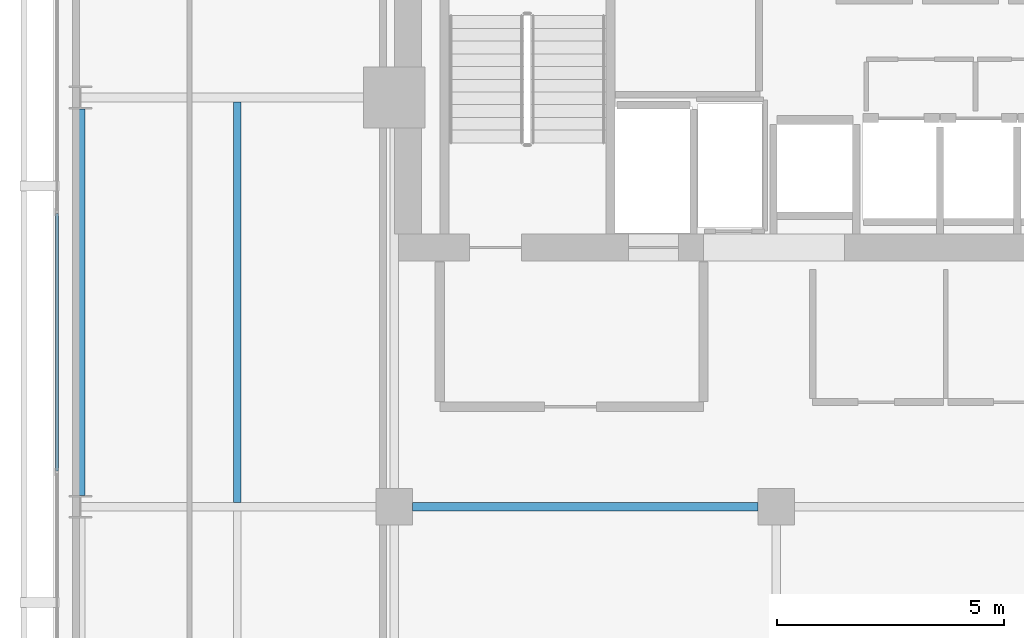
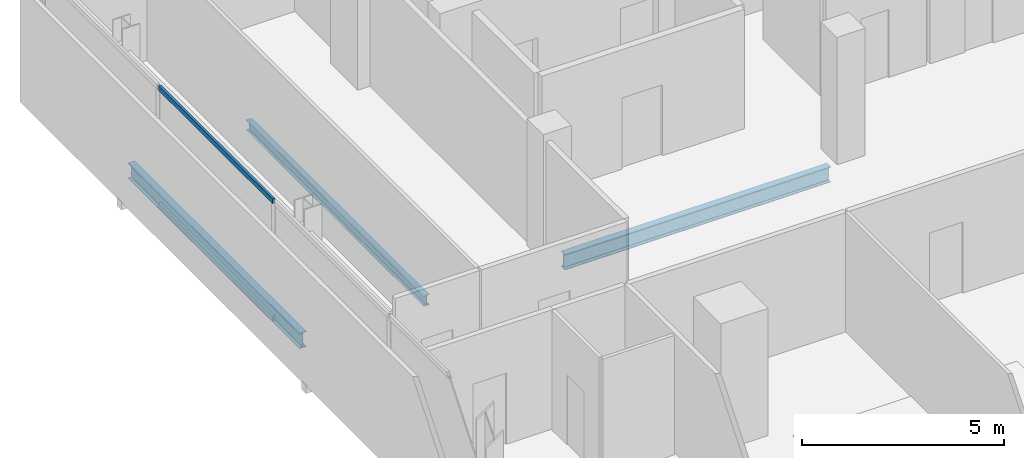
# One storey, part 8 of 23: 3 beams, 2 members, 1 element without a shape of its own.
"""IFC4 building model written with IfcOpenShell, lengths in metres."""

import ifcopenshell
import ifcopenshell.guid

model = None  # the IFC model being written
_history = None  # IfcOwnerHistory: only IFC2X3 demands one
_inside = {}  # id of a spatial element -> (the spatial element, [elements in it])
_under = {}  # id of a project, library or spatial element -> (it, [spatial elements below it])
_declared = {}  # id of a project -> (the project, [libraries it declares])
_typed = {}  # id of a type object -> (the type object, [elements of that type])
_made_of = {}  # id of a material, layer set ... -> (it, [elements and type objects made of it])


def new_model(schema):
    """Start an empty IFC model of exactly this schema.

    Asked for "IFC4X3", IfcOpenShell would pick the latest addendum, in which some entities
    have other attributes; the version numbers below select the first issue.
    IFC2X3 requires an IfcOwnerHistory on every rooted entity: one is made here for all.
    """
    global model, _history
    if schema == "IFC4X3":
        model = ifcopenshell.file(schema_version=(4, 3, 0, 0))
    else:
        model = ifcopenshell.file(schema=schema)
    _inside.clear()
    _under.clear()
    _declared.clear()
    _typed.clear()
    _made_of.clear()
    _history = None
    if model.schema == "IFC2X3":
        org = make("IfcOrganization", Name="unknown")
        user = make(
            "IfcPersonAndOrganization",
            ThePerson=make("IfcPerson", FamilyName="unknown"),
            TheOrganization=org,
        )
        app = make(
            "IfcApplication",
            ApplicationDeveloper=org,
            Version="unknown",
            ApplicationFullName="unknown",
            ApplicationIdentifier="unknown",
        )
        _history = make(
            "IfcOwnerHistory",
            OwningUser=user,
            OwningApplication=app,
            ChangeAction="ADDED",
            CreationDate=0,
        )
    return model


def make(cls, **values):
    """One entity of the class cls with the attributes given. An attribute that is None is left unset."""
    return model.create_entity(
        cls, **{name: value for name, value in values.items() if value is not None}
    )


def rooted(cls, **values):
    """An entity with a GlobalId (a new one), such as an element, a storey or a relation."""
    return make(cls, GlobalId=ifcopenshell.guid.new(), OwnerHistory=_history, **values)


def si_unit(unit_type, name, prefix=None):
    """IfcSIUnit, for example si_unit("LENGTHUNIT", "METRE", prefix="MILLI")."""
    return make("IfcSIUnit", UnitType=unit_type, Prefix=prefix, Name=name)


def assignment(units):
    """IfcUnitAssignment: the units of a project."""
    return None if units is None else make("IfcUnitAssignment", Units=units)


def point(xyz):
    """IfcCartesianPoint."""
    return None if xyz is None else make("IfcCartesianPoint", Coordinates=xyz)


def direction(xyz):
    """IfcDirection."""
    return None if xyz is None else make("IfcDirection", DirectionRatios=xyz)


def frame(location, z_axis=None, x_axis=None):
    """IfcAxis2Placement3D, a coordinate frame: its origin and axes. An axis left out is left unset."""
    return make(
        "IfcAxis2Placement3D",
        Location=point(location),
        Axis=direction(z_axis),
        RefDirection=direction(x_axis),
    )


def frame_2d(location, x_axis=None):
    """IfcAxis2Placement2D, a coordinate frame in the plane: its origin and x axis."""
    return make(
        "IfcAxis2Placement2D", Location=point(location), RefDirection=direction(x_axis)
    )


def origin():
    """The frame at (0, 0, 0) with its axes left unset."""
    return frame((0.0, 0.0, 0.0))


def origin_2d():
    """The frame at (0, 0) in the plane with its x axis left unset."""
    return frame_2d((0.0, 0.0))


def place(relative_to, where):
    """IfcLocalPlacement: puts the frame where relative to a parent placement (None: the world)."""
    return make(
        "IfcLocalPlacement", PlacementRelTo=relative_to, RelativePlacement=where
    )


def context(
    kind, dimensions, precision=None, world=None, true_north=None, identifier=None
):
    """IfcGeometricRepresentationContext, for example the 3D "Model" context."""
    return make(
        "IfcGeometricRepresentationContext",
        ContextIdentifier=identifier,
        ContextType=kind,
        CoordinateSpaceDimension=dimensions,
        Precision=precision,
        WorldCoordinateSystem=world,
        TrueNorth=true_north,
    )


def subcontext(parent, identifier, kind, view, scale=None):
    """IfcGeometricRepresentationSubContext, for example "Body" below "Model"."""
    return make(
        "IfcGeometricRepresentationSubContext",
        ContextIdentifier=identifier,
        ContextType=kind,
        ParentContext=parent,
        TargetScale=scale,
        TargetView=view,
    )


def project(units=None, contexts=None):
    """IfcProject with its units and contexts."""
    return rooted(
        "IfcProject",
        Name="project",
        RepresentationContexts=contexts,
        UnitsInContext=assignment(units),
    )


def spatial(cls, under=None, at=None, **own):
    """A site, building, storey or space (cls), placed at a placement, below another one or the project."""
    s = rooted(cls, ObjectPlacement=at, **own)
    if under is not None:
        _under.setdefault(under.id(), (under, []))[1].append(s)
    return s


def profile(cls, at=None, kind="AREA", **sizes):
    """A parametric profile (cls). Its sizes go by their IFC names, for example OverallWidth=200.0."""
    return make(cls, ProfileType=kind, Position=at, **sizes)


def hollow_rectangle(**sizes):
    """IfcRectangleHollowProfileDef."""
    return profile("IfcRectangleHollowProfileDef", **sizes)


def i_section(**sizes):
    """IfcIShapeProfileDef."""
    return profile("IfcIShapeProfileDef", **sizes)


def extrude(swept, where, along, depth):
    """IfcExtrudedAreaSolid: the profile swept, set in the frame where, extruded along a direction by depth."""
    return make(
        "IfcExtrudedAreaSolid",
        SweptArea=swept,
        Position=where,
        ExtrudedDirection=direction(along),
        Depth=depth,
    )


def shape(context_of_items, identifier, shape_type, items):
    """IfcShapeRepresentation: the items that make up one representation, for example the "Body"."""
    return make(
        "IfcShapeRepresentation",
        ContextOfItems=context_of_items,
        RepresentationIdentifier=identifier,
        RepresentationType=shape_type,
        Items=items,
    )


def material(Name=None, Category=None):
    """IfcMaterial."""
    return make("IfcMaterial", Name=Name, Category=Category)


def layer(
    of_material, thickness, ventilated=None, Name=None, Category=None, Priority=None
):
    """IfcMaterialLayer: one layer of a wall or slab, of a material (None: an air gap)."""
    return make(
        "IfcMaterialLayer",
        Material=of_material,
        LayerThickness=thickness,
        IsVentilated=ventilated,
        Name=Name,
        Category=Category,
        Priority=Priority,
    )


def layer_set(layers, Name=None):
    """IfcMaterialLayerSet."""
    return make("IfcMaterialLayerSet", MaterialLayers=layers, LayerSetName=Name)


def material_profile(
    of_material, cross_section, Name=None, Category=None, Priority=None
):
    """IfcMaterialProfile: a cross section and its material."""
    return make(
        "IfcMaterialProfile",
        Name=Name,
        Material=of_material,
        Profile=cross_section,
        Priority=Priority,
        Category=Category,
    )


def profile_set(profiles, Name=None, composite=None):
    """IfcMaterialProfileSet."""
    return make(
        "IfcMaterialProfileSet",
        Name=Name,
        MaterialProfiles=profiles,
        CompositeProfile=composite,
    )


def made_of(thing, what):
    """Note that an element or type object is made of a material, layer set ...; save() writes the relation."""
    if what is not None:
        _made_of.setdefault(what.id(), (what, []))[1].append(thing)
    return thing


def type_object(cls, material=None, **own):
    """A type object (cls), such as IfcWallType, which elements share."""
    return made_of(rooted(cls, **own), material)


def element(
    cls,
    number,
    at=None,
    inside=None,
    cuts=None,
    type_object=None,
    material=None,
    context=None,
    identifier="Body",
    shape_type=None,
    held_by="IfcProductDefinitionShape",
    body=None,
    shapes=None,
    **own,
):
    """One element of the class cls, such as IfcWall. Its Tag is "e" and its number.

    at: its placement. inside: the storey or other place that contains it. cuts: it is an
    opening in that element (IfcRelVoidsElement). A single representation is given by context,
    identifier, shape_type and body (its items); several are given by shapes. held_by: the class
    of the entity that holds the representations. save() writes the other relations.
    """
    e = rooted(cls, Tag="e%d" % number, ObjectPlacement=at, **own)
    if body is not None:
        shapes = [shape(context, identifier, shape_type, body)]
    if shapes is not None:
        e.Representation = make(held_by, Representations=shapes)
    if inside is not None:
        _inside.setdefault(inside.id(), (inside, []))[1].append(e)
    if cuts is not None:
        rooted(
            "IfcRelVoidsElement", RelatingBuildingElement=cuts, RelatedOpeningElement=e
        )
    if type_object is not None:
        _typed.setdefault(type_object.id(), (type_object, []))[1].append(e)
    return made_of(e, material)


def aggregate(whole, parts):
    """IfcRelAggregates: a whole, such as a stair, and the parts it consists of."""
    return rooted("IfcRelAggregates", RelatingObject=whole, RelatedObjects=parts)


def save(model, path):
    """Write the relations noted so far, then the file.

    IfcRelAggregates (storeys below a building ...), IfcRelContainedInSpatialStructure (elements
    in a storey), IfcRelDefinesByType, IfcRelAssociatesMaterial and IfcRelDeclares: one each for
    every whole, place, type object, material and project.
    """
    for whole, parts in _under.values():
        aggregate(whole, parts)
    for where, things in _inside.values():
        rooted(
            "IfcRelContainedInSpatialStructure",
            RelatedElements=things,
            RelatingStructure=where,
        )
    for kind, things in _typed.values():
        rooted("IfcRelDefinesByType", RelatedObjects=things, RelatingType=kind)
    for what, things in _made_of.values():
        rooted("IfcRelAssociatesMaterial", RelatedObjects=things, RelatingMaterial=what)
    for by, libraries in _declared.values():
        rooted("IfcRelDeclares", RelatingContext=by, RelatedDefinitions=libraries)
    model.write(path)


model = new_model("IFC4")

# Units and contexts
model_context = context("Model", 3, precision=1e-05, world=origin(), true_north=direction((0.0, 1.0)))
body_context = subcontext(model_context, "Body", "Model", "MODEL_VIEW")
ifc_project = project(units=[si_unit("LENGTHUNIT", "METRE"), si_unit("AREAUNIT", "SQUARE_METRE"), si_unit("VOLUMEUNIT", "CUBIC_METRE"), si_unit("PLANEANGLEUNIT", "RADIAN"), si_unit("MASSUNIT", "GRAM", prefix="KILO")], contexts=[model_context])

# Site, building, storey
site_placement = place(None, origin())
site = spatial("IfcSite", under=ifc_project, at=site_placement, CompositionType="ELEMENT")
building_placement = place(site_placement, origin())
building = spatial("IfcBuilding", under=site, at=building_placement, Name="Maruvema Waterfront Hotel and Observation Tower", CompositionType="ELEMENT")
storey_placement = place(building_placement, frame((0.0, 0.0, 337.39990234375)))
storey = spatial("IfcBuildingStorey", under=building, at=storey_placement, Name="L83", CompositionType="ELEMENT", Elevation=337.39990234375)

# Curtain wall, members
ifc_material_1 = material(Name="Anodised bronze aluminium and solar-control low-E IGU", Category="aluminium")
ifc_layer = layer(ifc_material_1, 0.159912109375, Name="Zone 4 Sky Residence Inner Curtain Wall System CW-05")
ifc_layer_set = layer_set([ifc_layer], Name="Anodised bronze aluminium and solar-control low-E IGU")
curtain_wall_type = type_object("IfcCurtainWallType", Name="Zone 4 Sky Residence Inner Curtain Wall System CW-05", PredefinedType="USERDEFINED", material=ifc_layer_set)
curtain_wall_placement = place(storey_placement, origin())
curtain_wall = element("IfcCurtainWall", 1, at=curtain_wall_placement, inside=storey, type_object=curtain_wall_type, Name="L83 Curtain Wall CW-L83-W", ObjectType="UNITISED CURTAIN WALL", PredefinedType="USERDEFINED")
ifc_material_2 = material(Name="Anodised architectural bronze aluminium", Category="aluminium")
ifc_material_profile_1 = material_profile(ifc_material_2, hollow_rectangle(XDim=0.070068359375, YDim=0.14990234375, WallThickness=0.00390625, at=origin_2d()), Name="ALU-T70x150")
ifc_profile_set_1 = profile_set([ifc_material_profile_1], Name="Anodised architectural bronze aluminium")
member_type = type_object("IfcMemberType", Name="Curtain Wall Horizontal Transom ALU-T70x150", PredefinedType="USERDEFINED", material=ifc_profile_set_1)
member_1_placement = place(storey_placement, frame((17.780029296875, 42.449951171875, 0.030029296875), z_axis=(0.0, -1.0, 0.0), x_axis=(1.0, 0.0, 0.0)))
member_1 = element("IfcMember", 2, at=member_1_placement, type_object=member_type, Name="CW-05 transom 2.1", ObjectType="TRANSOM", PredefinedType="USERDEFINED", context=body_context, shape_type="SweptSolid", body=[
    extrude(hollow_rectangle(XDim=0.070068359375, YDim=0.14990234375, WallThickness=0.00390625, at=origin_2d()), origin(), (0.0, 0.0, 1.0), 5.659912109375),
])
member_2_placement = place(storey_placement, frame((17.780029296875, 42.449951171875, 3.580078125), z_axis=(0.0, -1.0, 0.0), x_axis=(1.0, 0.0, 0.0)))
member_2 = element("IfcMember", 3, at=member_2_placement, type_object=member_type, Name="CW-05 transom 2.2", ObjectType="TRANSOM", PredefinedType="USERDEFINED", context=body_context, shape_type="SweptSolid", body=[
    extrude(hollow_rectangle(XDim=0.070068359375, YDim=0.14990234375, WallThickness=0.00390625, at=origin_2d()), origin(), (0.0, 0.0, 1.0), 5.659912109375),
])
aggregate(curtain_wall, [member_1, member_2])

# Beams
ifc_material_3 = material(Name="Steel ASTM A572 Grade 50", Category="steel")
ifc_material_profile_2 = material_profile(ifc_material_3, i_section(OverallWidth=0.194091796875, OverallDepth=0.468994140625, WebThickness=0.0126953125, FlangeThickness=0.0205078125, FilletRadius=0.014892578125, at=origin_2d()), Name="W460x106.0")
ifc_profile_set_2 = profile_set([ifc_material_profile_2], Name="Steel ASTM A572 Grade 50")
beam_type_1 = type_object("IfcBeamType", Name="Primary Floor Girder W460x106.0", PredefinedType="BEAM", material=ifc_profile_set_2)
beam_1_placement = place(storey_placement, frame((25.60009765625, 36.0, -0.474365234375), z_axis=(1.0, 0.0, 0.0), x_axis=(0.0, 1.0, 0.0)))
element("IfcBeam", 4, at=beam_1_placement, inside=storey, type_object=beam_type_1, Name="L83 Floor Girder EW-11", PredefinedType="BEAM", context=body_context, shape_type="SweptSolid", body=[
    extrude(i_section(OverallWidth=0.194091796875, OverallDepth=0.468994140625, WebThickness=0.0126953125, FlangeThickness=0.0205078125, FilletRadius=0.014892578125, at=origin_2d()), origin(), (0.0, 0.0, 1.0), 7.599853515625),
])
beam_2_placement = place(storey_placement, frame((18.300048828125, 36.25, -0.474365234375), z_axis=(0.0, 1.0, 0.0), x_axis=(-1.0, 0.0, 0.0)))
element("IfcBeam", 5, at=beam_2_placement, inside=storey, type_object=beam_type_1, Name="L83 Floor Girder NS-02", PredefinedType="BEAM", context=body_context, shape_type="SweptSolid", body=[
    extrude(i_section(OverallWidth=0.194091796875, OverallDepth=0.468994140625, WebThickness=0.0126953125, FlangeThickness=0.0205078125, FilletRadius=0.014892578125, at=origin_2d()), origin(), (0.0, 0.0, 1.0), 8.5),
])
ifc_material_4 = material(Name="Steel ASTM A572 Grade 50", Category="steel")
ifc_material_profile_3 = material_profile(ifc_material_4, i_section(OverallWidth=0.1650390625, OverallDepth=0.31005859375, WebThickness=0.005859375, FlangeThickness=0.009765625, FilletRadius=0.012939453125, at=origin_2d()), Name="W310x38.7")
ifc_profile_set_3 = profile_set([ifc_material_profile_3], Name="Steel ASTM A572 Grade 50")
beam_type_2 = type_object("IfcBeamType", Name="Secondary Floor Joist W310x38.7", PredefinedType="JOIST", material=ifc_profile_set_3)
beam_3_placement = place(storey_placement, frame((21.75, 36.096923828125, -0.39501953125), z_axis=(0.0, 1.0, 0.0), x_axis=(-1.0, 0.0, 0.0)))
element("IfcBeam", 6, at=beam_3_placement, inside=storey, type_object=beam_type_2, Name="L83 Secondary Floor Joist JS-02", PredefinedType="JOIST", context=body_context, shape_type="SweptSolid", body=[
    extrude(i_section(OverallWidth=0.1650390625, OverallDepth=0.31005859375, WebThickness=0.005859375, FlangeThickness=0.009765625, FilletRadius=0.012939453125, at=origin_2d()), origin(), (0.0, 0.0, 1.0), 8.80615234375),
])

save(model, "model.ifc")
